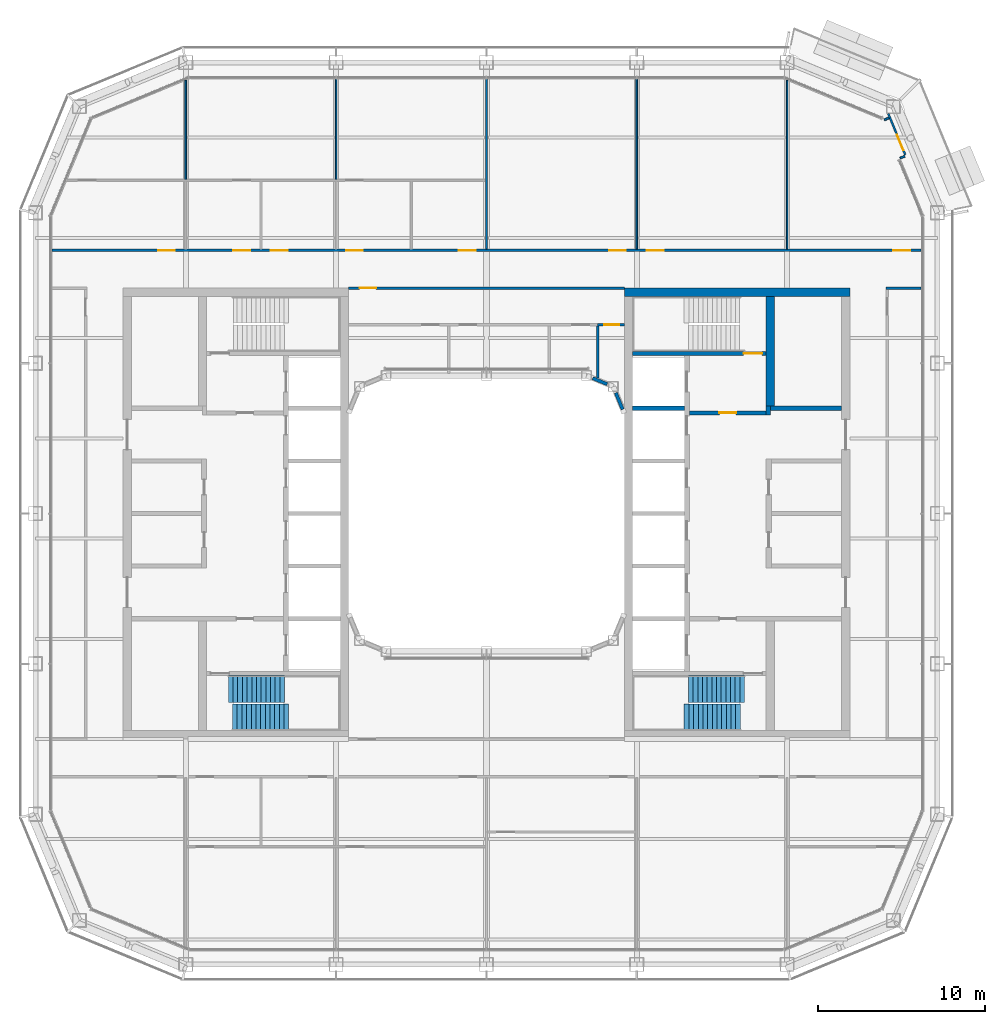
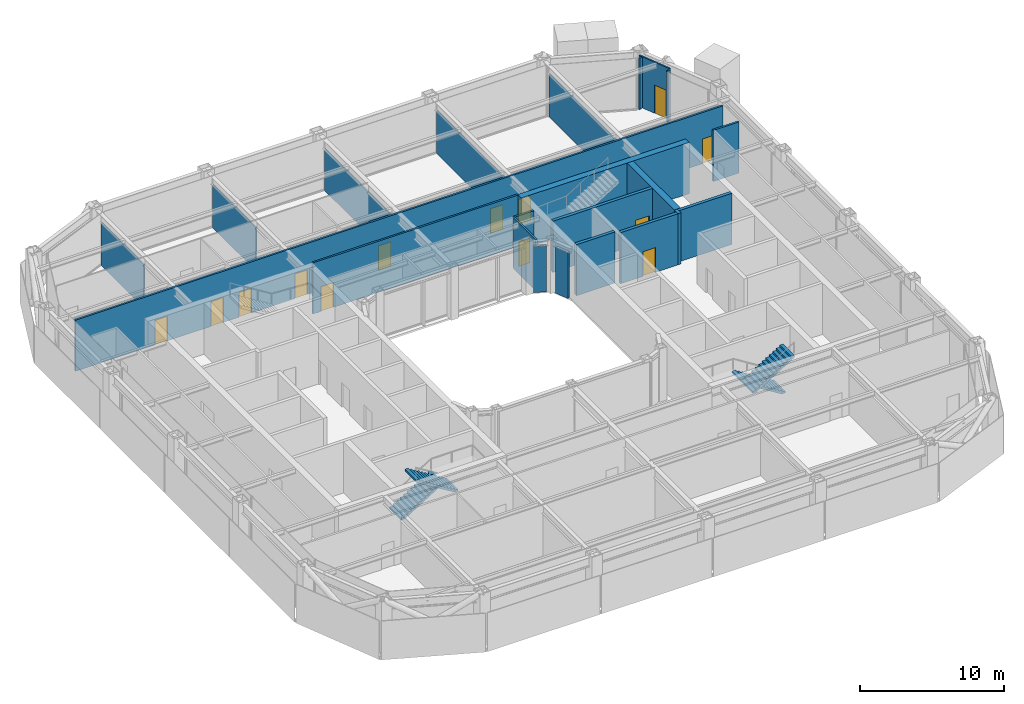
# One storey, part 15 of 23: 22 walls, 13 doors, 4 stair flights, 13 openings, 2 elements without a shape of their own.
"""IFC4 building model written with IfcOpenShell, lengths in metres."""

from ifc_helpers import new_model, si_unit, direction, frame, frame_2d, origin, place, context, subcontext, project, spatial, polyline, rectangle, outline, extrude, material, layer, layer_set, type_object, element, fill, aggregate, save


model = new_model("IFC4")

# Units and contexts
model_context = context("Model", 3, precision=1e-05, world=origin(), true_north=direction((0.0, 1.0)))
body_context = subcontext(model_context, "Body", "Model", "MODEL_VIEW")
ifc_project = project(units=[si_unit("LENGTHUNIT", "METRE"), si_unit("AREAUNIT", "SQUARE_METRE"), si_unit("VOLUMEUNIT", "CUBIC_METRE"), si_unit("PLANEANGLEUNIT", "RADIAN"), si_unit("MASSUNIT", "GRAM", prefix="KILO")], contexts=[model_context])

# Site, building, storey
site_placement = place(None, origin())
site = spatial("IfcSite", under=ifc_project, at=site_placement, CompositionType="ELEMENT")
building_placement = place(site_placement, origin())
building = spatial("IfcBuilding", under=site, at=building_placement, Name="Siwar Civic Tower", CompositionType="ELEMENT")
storey_placement = place(building_placement, frame((0.0, 0.0, 224.199951171875)))
storey = spatial("IfcBuildingStorey", under=building, at=storey_placement, Name="L48", CompositionType="ELEMENT", Elevation=224.199951171875)

# Wall, opening, door
ifc_material_1 = material(Name="Gypsum board on steel studs", Category="steel")
ifc_layer_1 = layer(ifc_material_1, 0.14990234375)
ifc_layer_set_1 = layer_set([ifc_layer_1], Name="Gypsum board on steel studs")
wall_type_1 = type_object("IfcWallType", Name="COMPARTMENT PARTITION 150 EI 60", PredefinedType="PARTITIONING", material=ifc_layer_set_1)
wall_1_placement = place(storey_placement, frame((6.659912109375, 11.300048828125, 0.0), z_axis=(0.0, 0.0, 1.0), x_axis=(1.0, 0.0, 0.0)))
wall_1 = element("IfcWall", 1, at=wall_1_placement, inside=storey, type_object=wall_type_1, Name="L48/wall/P09", PredefinedType="PARTITIONING", context=body_context, shape_type="SweptSolid", body=[
    extrude(rectangle(XDim=1.590087890625, YDim=0.14990234375, at=frame_2d((0.794921875, 0.0))), origin(), (0.0, 0.0, 1.0), 4.35009765625),
])
opening_1_placement = place(wall_1_placement, frame((0.39990234375, 0.0, 0.0)))
opening_1 = element("IfcOpeningElement", 2, at=opening_1_placement, cuts=wall_1, Name="Opening D4", PredefinedType="OPENING", context=body_context, shape_type="SweptSolid", body=[
    extrude(rectangle(XDim=0.89990234375, YDim=2.10009765625, at=frame_2d((0.449951171875, 1.050048828125))), frame((0.0, 0.0849609375, 0.0), z_axis=(0.0, -1.0, 0.0), x_axis=(1.0, 0.0, 0.0)), (0.0, 0.0, 1.0), 0.169921875),
])
ifc_material_2 = material(Name="Timber, painted", Category="wood")
door_type_1 = type_object("IfcDoorType", Name="DOOR 900 X 2100 FD60", OperationType="SINGLE_SWING_LEFT", PredefinedType="DOOR", material=ifc_material_2)
door_1_placement = place(opening_1_placement, origin())
door_1 = element("IfcDoor", 3, at=door_1_placement, inside=storey, type_object=door_type_1, Name="L48-D29", OperationType="SINGLE_SWING_LEFT", OverallHeight=2.10009765625, OverallWidth=0.89990234375, PredefinedType="DOOR", context=body_context, shape_type="SweptSolid", body=[
    extrude(rectangle(XDim=0.89990234375, YDim=2.10009765625, at=frame_2d((0.449951171875, 1.050048828125))), frame((0.0, 0.02490234375, 0.0), z_axis=(0.0, -1.0, 0.0), x_axis=(1.0, 0.0, 0.0)), (0.0, 0.0, 1.0), 0.050048828125),
])
fill(opening_1, door_1)

# Wall
wall_2_placement = place(storey_placement, frame((6.659912109375, 8.126953125, 0.0), z_axis=(0.0, 0.0, 1.0), x_axis=(0.0, 1.0, 0.0)))
element("IfcWall", 4, at=wall_2_placement, inside=storey, type_object=wall_type_1, Name="L48/wall/P30", PredefinedType="PARTITIONING", context=body_context, shape_type="SweptSolid", body=[
    extrude(rectangle(XDim=3.09814453125, YDim=0.14990234375, at=frame_2d((1.549072265625, 0.0))), origin(), (0.0, 0.0, 1.0), 4.35009765625),
])

# Wall, opening, door
ifc_material_3 = material(Name="Concrete C60/75", Category="concrete")
ifc_layer_2 = layer(ifc_material_3, 0.25)
ifc_layer_set_2 = layer_set([ifc_layer_2], Name="Concrete C60/75")
wall_type_2 = type_object("IfcWallType", Name="CORE-WALL-RC250", PredefinedType="SHEAR", material=ifc_layer_set_2)
wall_3_placement = place(storey_placement, frame((12.14990234375, 6.02490234375, 0.0), z_axis=(0.0, 0.0, 1.0), x_axis=(1.0, 0.0, 0.0)))
wall_3 = element("IfcWall", 5, at=wall_3_placement, inside=storey, type_object=wall_type_2, Name="Core wall E", PredefinedType="SHEAR", context=body_context, shape_type="SweptSolid", body=[
    extrude(rectangle(XDim=4.60009765625, YDim=0.25, at=frame_2d((2.300048828125, 0.0))), origin(), (0.0, 0.0, 1.0), 4.35009765625),
])
opening_2_placement = place(wall_3_placement, frame((1.800048828125, 0.0, 0.0)))
opening_2 = element("IfcOpeningElement", 6, at=opening_2_placement, cuts=wall_3, Name="Opening L48-CE01", PredefinedType="OPENING", context=body_context, shape_type="SweptSolid", body=[
    extrude(rectangle(XDim=1.0, YDim=2.10009765625, at=frame_2d((0.5, 1.050048828125))), frame((0.0, 0.135009765625, 0.0), z_axis=(0.0, -1.0, 0.0), x_axis=(1.0, 0.0, 0.0)), (0.0, 0.0, 1.0), 0.27001953125),
])
ifc_material_4 = material(Name="Steel door leaf", Category="steel")
door_type_2 = type_object("IfcDoorType", Name="CORE-DOOR-FD30S", OperationType="SINGLE_SWING_LEFT", PredefinedType="DOOR", material=ifc_material_4)
door_2_placement = place(opening_2_placement, origin())
door_2 = element("IfcDoor", 7, at=door_2_placement, inside=storey, type_object=door_type_2, Name="Firefighting lobby door L48-CE01", OperationType="SINGLE_SWING_RIGHT", OverallHeight=2.10009765625, OverallWidth=1.0, PredefinedType="DOOR", context=body_context, shape_type="SweptSolid", body=[
    extrude(rectangle(XDim=1.0, YDim=2.10009765625, at=frame_2d((0.5, 1.050048828125))), frame((0.0, 0.02490234375, 0.0), z_axis=(0.0, -1.0, 0.0), x_axis=(1.0, 0.0, 0.0)), (0.0, 0.0, 1.0), 0.050048828125),
])
fill(opening_2, door_2)

# Walls
wall_4_placement = place(storey_placement, frame((16.875, 5.89990234375, 0.0), z_axis=(0.0, 0.0, 1.0), x_axis=(0.0, 1.0, 0.0)))
element("IfcWall", 8, at=wall_4_placement, inside=storey, type_object=wall_type_2, Name="Core wall E", PredefinedType="SHEAR", context=body_context, shape_type="SweptSolid", body=[
    extrude(rectangle(XDim=0.525146484375, YDim=0.25, at=frame_2d((0.2626953125, 0.0))), origin(), (0.0, 0.0, 1.0), 4.35009765625),
])
wall_5_placement = place(storey_placement, frame((17.0, 6.300048828125, 0.0), z_axis=(0.0, 0.0, 1.0), x_axis=(1.0, 0.0, 0.0)))
element("IfcWall", 9, at=wall_5_placement, inside=storey, type_object=wall_type_2, Name="Core wall E", PredefinedType="SHEAR", context=body_context, shape_type="SweptSolid", body=[
    extrude(rectangle(XDim=4.25, YDim=0.25, at=frame_2d((2.125, 0.0))), origin(), (0.0, 0.0, 1.0), 4.35009765625),
])
wall_6_placement = place(storey_placement, frame((8.75, 6.300048828125, 0.0), z_axis=(0.0, 0.0, 1.0), x_axis=(1.0, 0.0, 0.0)))
element("IfcWall", 10, at=wall_6_placement, inside=storey, type_object=wall_type_2, Name="Core wall E", PredefinedType="SHEAR", context=body_context, shape_type="SweptSolid", body=[
    extrude(rectangle(XDim=3.10009765625, YDim=0.25, at=frame_2d((1.550048828125, 0.0))), origin(), (0.0, 0.0, 1.0), 4.35009765625),
])

# Wall, opening, door
wall_7_placement = place(storey_placement, frame((8.75, 9.574951171875, 0.0), z_axis=(0.0, 0.0, 1.0), x_axis=(1.0, 0.0, 0.0)))
wall_7 = element("IfcWall", 11, at=wall_7_placement, inside=storey, type_object=wall_type_2, Name="Core wall E", PredefinedType="SHEAR", context=body_context, shape_type="SweptSolid", body=[
    extrude(rectangle(XDim=8.0, YDim=0.25, at=frame_2d((4.0, 0.0))), origin(), (0.0, 0.0, 1.0), 4.35009765625),
])
opening_3_placement = place(wall_7_placement, frame((6.64990234375, 0.0, 0.0)))
opening_3 = element("IfcOpeningElement", 12, at=opening_3_placement, cuts=wall_7, Name="Opening L48-CE03", PredefinedType="OPENING", context=body_context, shape_type="SweptSolid", body=[
    extrude(rectangle(XDim=1.10009765625, YDim=2.10009765625, at=frame_2d((0.550048828125, 1.050048828125))), frame((0.0, 0.135009765625, 0.0), z_axis=(0.0, -1.0, 0.0), x_axis=(1.0, 0.0, 0.0)), (0.0, 0.0, 1.0), 0.27001953125),
])
ifc_material_5 = material(Name="Steel door leaf", Category="steel")
door_type_3 = type_object("IfcDoorType", Name="CORE-DOOR-FD60S", OperationType="SINGLE_SWING_LEFT", PredefinedType="DOOR", material=ifc_material_5)
door_3_placement = place(opening_3_placement, origin())
door_3 = element("IfcDoor", 13, at=door_3_placement, inside=storey, type_object=door_type_3, Name="Stair door L48-CE03", OperationType="SINGLE_SWING_LEFT", OverallHeight=2.10009765625, OverallWidth=1.10009765625, PredefinedType="DOOR", context=body_context, shape_type="SweptSolid", body=[
    extrude(rectangle(XDim=1.10009765625, YDim=2.10009765625, at=frame_2d((0.550048828125, 1.050048828125))), frame((0.0, 0.02490234375, 0.0), z_axis=(0.0, -1.0, 0.0), x_axis=(1.0, 0.0, 0.0)), (0.0, 0.0, 1.0), 0.050048828125),
])
fill(opening_3, door_3)

# Walls
ifc_material_6 = material(Name="Concrete C60/75", Category="concrete")
ifc_layer_3 = layer(ifc_material_6, 0.5)
ifc_layer_set_3 = layer_set([ifc_layer_3], Name="Concrete C60/75")
wall_type_3 = type_object("IfcWallType", Name="CORE-WALL-RC500", PredefinedType="SHEAR", material=ifc_layer_set_3)
wall_8_placement = place(storey_placement, frame((17.0, 6.425048828125, 0.0), z_axis=(0.0, 0.0, 1.0), x_axis=(0.0, 1.0, 0.0)))
element("IfcWall", 14, at=wall_8_placement, inside=storey, type_object=wall_type_3, Name="Core wall E", PredefinedType="SHEAR", context=body_context, shape_type="SweptSolid", body=[
    extrude(rectangle(XDim=6.574951171875, YDim=0.5, at=frame_2d((3.28759765625, 0.0))), origin(), (0.0, 0.0, 1.0), 4.35009765625),
])
wall_9_placement = place(storey_placement, frame((8.25, 13.25, 0.0), z_axis=(0.0, 0.0, 1.0), x_axis=(1.0, 0.0, 0.0)))
element("IfcWall", 15, at=wall_9_placement, inside=storey, type_object=wall_type_3, Name="Core wall E", PredefinedType="SHEAR", context=body_context, shape_type="SweptSolid", body=[
    extrude(rectangle(XDim=13.5, YDim=0.5, at=frame_2d((6.75, 0.0))), origin(), (0.0, 0.0, 1.0), 4.35009765625),
])

# Wall, opening, door
ifc_material_7 = material(Name="Gypsum board on steel studs", Category="steel")
ifc_layer_4 = layer(ifc_material_7, 0.14990234375)
ifc_layer_set_4 = layer_set([ifc_layer_4], Name="Gypsum board on steel studs")
wall_type_4 = type_object("IfcWallType", Name="CORRIDOR PARTITION 150 EI 30", PredefinedType="PARTITIONING", material=ifc_layer_set_4)
wall_10_placement = place(storey_placement, frame((-8.25, 13.5, 0.0), z_axis=(0.0, 0.0, 1.0), x_axis=(1.0, 0.0, 0.0)))
wall_10 = element("IfcWall", 16, at=wall_10_placement, inside=storey, type_object=wall_type_4, Name="L48/wall/P11", PredefinedType="PARTITIONING", context=body_context, shape_type="SweptSolid", body=[
    extrude(rectangle(XDim=16.5, YDim=0.14990234375, at=frame_2d((8.25, 0.0))), origin(), (0.0, 0.0, 1.0), 4.35009765625),
])
opening_4_placement = place(wall_10_placement, frame((0.64990234375, 0.0, 0.0)))
opening_4 = element("IfcOpeningElement", 17, at=opening_4_placement, cuts=wall_10, Name="Opening D1", PredefinedType="OPENING", context=body_context, shape_type="SweptSolid", body=[
    extrude(rectangle(XDim=1.0, YDim=2.10009765625, at=frame_2d((0.5, 1.050048828125))), frame((0.0, 0.0849609375, 0.0), z_axis=(0.0, -1.0, 0.0), x_axis=(1.0, 0.0, 0.0)), (0.0, 0.0, 1.0), 0.169921875),
])
ifc_material_8 = material(Name="Timber, painted", Category="wood")
door_type_4 = type_object("IfcDoorType", Name="DOOR 1000 X 2100 FD30", OperationType="SINGLE_SWING_LEFT", PredefinedType="DOOR", material=ifc_material_8)
door_4_placement = place(opening_4_placement, origin())
door_4 = element("IfcDoor", 18, at=door_4_placement, inside=storey, type_object=door_type_4, Name="L48-D25", OperationType="SINGLE_SWING_LEFT", OverallHeight=2.10009765625, OverallWidth=1.0, PredefinedType="DOOR", context=body_context, shape_type="SweptSolid", body=[
    extrude(rectangle(XDim=1.0, YDim=2.10009765625, at=frame_2d((0.5, 1.050048828125))), frame((0.0, 0.02490234375, 0.0), z_axis=(0.0, -1.0, 0.0), x_axis=(1.0, 0.0, 0.0)), (0.0, 0.0, 1.0), 0.050048828125),
])
fill(opening_4, door_4)

# Wall
wall_11_placement = place(storey_placement, frame((23.925048828125, 13.5, 0.0), z_axis=(0.0, 0.0, 1.0), x_axis=(1.0, 0.0, 0.0)))
element("IfcWall", 19, at=wall_11_placement, inside=storey, type_object=wall_type_4, Name="L48/wall/P12", PredefinedType="PARTITIONING", context=body_context, shape_type="SweptSolid", body=[
    extrude(rectangle(XDim=2.0849609375, YDim=0.14990234375, at=frame_2d((1.04248046875, 0.0))), origin(), (0.0, 0.0, 1.0), 4.35009765625),
])

# Wall, openings, doors
wall_12_placement = place(storey_placement, frame((-26.010009765625, 15.75, 0.0), z_axis=(0.0, 0.0, 1.0), x_axis=(1.0, 0.0, 0.0)))
wall_12 = element("IfcWall", 20, at=wall_12_placement, inside=storey, type_object=wall_type_4, Name="L48/wall/P13", PredefinedType="PARTITIONING", context=body_context, shape_type="SweptSolid", body=[
    extrude(rectangle(XDim=52.02001953125, YDim=0.14990234375, at=frame_2d((26.010009765625, 0.0))), origin(), (0.0, 0.0, 1.0), 4.35009765625),
])
opening_5_placement = place(wall_12_placement, frame((10.860107421875, 0.0, 0.0)))
opening_5 = element("IfcOpeningElement", 21, at=opening_5_placement, cuts=wall_12, Name="Opening D1", PredefinedType="OPENING", context=body_context, shape_type="SweptSolid", body=[
    extrude(rectangle(XDim=1.0, YDim=2.10009765625, at=frame_2d((0.5, 1.050048828125))), frame((0.0, 0.0849609375, 0.0), z_axis=(0.0, -1.0, 0.0), x_axis=(1.0, 0.0, 0.0)), (0.0, 0.0, 1.0), 0.169921875),
])
opening_6_placement = place(wall_12_placement, frame((13.110107421875, 0.0, 0.0)))
opening_6 = element("IfcOpeningElement", 22, at=opening_6_placement, cuts=wall_12, Name="Opening D1", PredefinedType="OPENING", context=body_context, shape_type="SweptSolid", body=[
    extrude(rectangle(XDim=1.0, YDim=2.10009765625, at=frame_2d((0.5, 1.050048828125))), frame((0.0, 0.0849609375, 0.0), z_axis=(0.0, -1.0, 0.0), x_axis=(1.0, 0.0, 0.0)), (0.0, 0.0, 1.0), 0.169921875),
])
opening_7_placement = place(wall_12_placement, frame((17.610107421875, 0.0, 0.0)))
opening_7 = element("IfcOpeningElement", 23, at=opening_7_placement, cuts=wall_12, Name="Opening D1", PredefinedType="OPENING", context=body_context, shape_type="SweptSolid", body=[
    extrude(rectangle(XDim=1.0, YDim=2.10009765625, at=frame_2d((0.5, 1.050048828125))), frame((0.0, 0.0849609375, 0.0), z_axis=(0.0, -1.0, 0.0), x_axis=(1.0, 0.0, 0.0)), (0.0, 0.0, 1.0), 0.169921875),
])
opening_8_placement = place(wall_12_placement, frame((24.360107421875, 0.0, 0.0)))
opening_8 = element("IfcOpeningElement", 24, at=opening_8_placement, cuts=wall_12, Name="Opening D1", PredefinedType="OPENING", context=body_context, shape_type="SweptSolid", body=[
    extrude(rectangle(XDim=1.0, YDim=2.10009765625, at=frame_2d((0.5, 1.050048828125))), frame((0.0, 0.0849609375, 0.0), z_axis=(0.0, -1.0, 0.0), x_axis=(1.0, 0.0, 0.0)), (0.0, 0.0, 1.0), 0.169921875),
])
opening_9_placement = place(wall_12_placement, frame((33.360107421875, 0.0, 0.0)))
opening_9 = element("IfcOpeningElement", 25, at=opening_9_placement, cuts=wall_12, Name="Opening D1", PredefinedType="OPENING", context=body_context, shape_type="SweptSolid", body=[
    extrude(rectangle(XDim=1.0, YDim=2.10009765625, at=frame_2d((0.5, 1.050048828125))), frame((0.0, 0.0849609375, 0.0), z_axis=(0.0, -1.0, 0.0), x_axis=(1.0, 0.0, 0.0)), (0.0, 0.0, 1.0), 0.169921875),
])
opening_10_placement = place(wall_12_placement, frame((35.610107421875, 0.0, 0.0)))
opening_10 = element("IfcOpeningElement", 26, at=opening_10_placement, cuts=wall_12, Name="Opening D1", PredefinedType="OPENING", context=body_context, shape_type="SweptSolid", body=[
    extrude(rectangle(XDim=1.0, YDim=2.10009765625, at=frame_2d((0.5, 1.050048828125))), frame((0.0, 0.0849609375, 0.0), z_axis=(0.0, -1.0, 0.0), x_axis=(1.0, 0.0, 0.0)), (0.0, 0.0, 1.0), 0.169921875),
])
opening_11_placement = place(wall_12_placement, frame((6.360107421875, 0.0, 0.0)))
opening_11 = element("IfcOpeningElement", 27, at=opening_11_placement, cuts=wall_12, Name="Opening D1", PredefinedType="OPENING", context=body_context, shape_type="SweptSolid", body=[
    extrude(rectangle(XDim=1.0, YDim=2.10009765625, at=frame_2d((0.5, 1.050048828125))), frame((0.0, 0.0849609375, 0.0), z_axis=(0.0, -1.0, 0.0), x_axis=(1.0, 0.0, 0.0)), (0.0, 0.0, 1.0), 0.169921875),
])
opening_12_placement = place(wall_12_placement, frame((50.3701171875, 0.0, 0.0)))
opening_12 = element("IfcOpeningElement", 28, at=opening_12_placement, cuts=wall_12, Name="Opening D1", PredefinedType="OPENING", context=body_context, shape_type="SweptSolid", body=[
    extrude(rectangle(XDim=1.0, YDim=2.10009765625, at=frame_2d((0.5, 1.050048828125))), frame((0.0, 0.0849609375, 0.0), z_axis=(0.0, -1.0, 0.0), x_axis=(1.0, 0.0, 0.0)), (0.0, 0.0, 1.0), 0.169921875),
])
door_5_placement = place(opening_5_placement, origin())
door_5 = element("IfcDoor", 29, at=door_5_placement, inside=storey, type_object=door_type_4, Name="L48-D01", OperationType="SINGLE_SWING_LEFT", OverallHeight=2.10009765625, OverallWidth=1.0, PredefinedType="DOOR", context=body_context, shape_type="SweptSolid", body=[
    extrude(rectangle(XDim=1.0, YDim=2.10009765625, at=frame_2d((0.5, 1.050048828125))), frame((0.0, 0.02490234375, 0.0), z_axis=(0.0, -1.0, 0.0), x_axis=(1.0, 0.0, 0.0)), (0.0, 0.0, 1.0), 0.050048828125),
])
fill(opening_5, door_5)
door_6_placement = place(opening_6_placement, origin())
door_6 = element("IfcDoor", 30, at=door_6_placement, inside=storey, type_object=door_type_4, Name="L48-D02", OperationType="SINGLE_SWING_RIGHT", OverallHeight=2.10009765625, OverallWidth=1.0, PredefinedType="DOOR", context=body_context, shape_type="SweptSolid", body=[
    extrude(rectangle(XDim=1.0, YDim=2.10009765625, at=frame_2d((0.5, 1.050048828125))), frame((0.0, 0.02490234375, 0.0), z_axis=(0.0, -1.0, 0.0), x_axis=(1.0, 0.0, 0.0)), (0.0, 0.0, 1.0), 0.050048828125),
])
fill(opening_6, door_6)
door_7_placement = place(opening_7_placement, origin())
door_7 = element("IfcDoor", 31, at=door_7_placement, inside=storey, type_object=door_type_4, Name="L48-D04", OperationType="SINGLE_SWING_RIGHT", OverallHeight=2.10009765625, OverallWidth=1.0, PredefinedType="DOOR", context=body_context, shape_type="SweptSolid", body=[
    extrude(rectangle(XDim=1.0, YDim=2.10009765625, at=frame_2d((0.5, 1.050048828125))), frame((0.0, 0.02490234375, 0.0), z_axis=(0.0, -1.0, 0.0), x_axis=(1.0, 0.0, 0.0)), (0.0, 0.0, 1.0), 0.050048828125),
])
fill(opening_7, door_7)
door_8_placement = place(opening_8_placement, origin())
door_8 = element("IfcDoor", 32, at=door_8_placement, inside=storey, type_object=door_type_4, Name="L48-D05", OperationType="SINGLE_SWING_LEFT", OverallHeight=2.10009765625, OverallWidth=1.0, PredefinedType="DOOR", context=body_context, shape_type="SweptSolid", body=[
    extrude(rectangle(XDim=1.0, YDim=2.10009765625, at=frame_2d((0.5, 1.050048828125))), frame((0.0, 0.02490234375, 0.0), z_axis=(0.0, -1.0, 0.0), x_axis=(1.0, 0.0, 0.0)), (0.0, 0.0, 1.0), 0.050048828125),
])
fill(opening_8, door_8)
door_9_placement = place(opening_9_placement, origin())
door_9 = element("IfcDoor", 33, at=door_9_placement, inside=storey, type_object=door_type_4, Name="L48-D07", OperationType="SINGLE_SWING_LEFT", OverallHeight=2.10009765625, OverallWidth=1.0, PredefinedType="DOOR", context=body_context, shape_type="SweptSolid", body=[
    extrude(rectangle(XDim=1.0, YDim=2.10009765625, at=frame_2d((0.5, 1.050048828125))), frame((0.0, 0.02490234375, 0.0), z_axis=(0.0, -1.0, 0.0), x_axis=(1.0, 0.0, 0.0)), (0.0, 0.0, 1.0), 0.050048828125),
])
fill(opening_9, door_9)
door_10_placement = place(opening_10_placement, origin())
door_10 = element("IfcDoor", 34, at=door_10_placement, inside=storey, type_object=door_type_4, Name="L48-D08", OperationType="SINGLE_SWING_RIGHT", OverallHeight=2.10009765625, OverallWidth=1.0, PredefinedType="DOOR", context=body_context, shape_type="SweptSolid", body=[
    extrude(rectangle(XDim=1.0, YDim=2.10009765625, at=frame_2d((0.5, 1.050048828125))), frame((0.0, 0.02490234375, 0.0), z_axis=(0.0, -1.0, 0.0), x_axis=(1.0, 0.0, 0.0)), (0.0, 0.0, 1.0), 0.050048828125),
])
fill(opening_10, door_10)
door_11_placement = place(opening_11_placement, origin())
door_11 = element("IfcDoor", 35, at=door_11_placement, inside=storey, type_object=door_type_4, Name="L48-D17", OperationType="SINGLE_SWING_LEFT", OverallHeight=2.10009765625, OverallWidth=1.0, PredefinedType="DOOR", context=body_context, shape_type="SweptSolid", body=[
    extrude(rectangle(XDim=1.0, YDim=2.10009765625, at=frame_2d((0.5, 1.050048828125))), frame((0.0, 0.02490234375, 0.0), z_axis=(0.0, -1.0, 0.0), x_axis=(1.0, 0.0, 0.0)), (0.0, 0.0, 1.0), 0.050048828125),
])
fill(opening_11, door_11)
door_12_placement = place(opening_12_placement, origin())
door_12 = element("IfcDoor", 36, at=door_12_placement, inside=storey, type_object=door_type_4, Name="L48-D19", OperationType="SINGLE_SWING_LEFT", OverallHeight=2.10009765625, OverallWidth=1.0, PredefinedType="DOOR", context=body_context, shape_type="SweptSolid", body=[
    extrude(rectangle(XDim=1.0, YDim=2.10009765625, at=frame_2d((0.5, 1.050048828125))), frame((0.0, 0.02490234375, 0.0), z_axis=(0.0, -1.0, 0.0), x_axis=(1.0, 0.0, 0.0)), (0.0, 0.0, 1.0), 0.050048828125),
])
fill(opening_12, door_12)

# Walls
ifc_material_9 = material(Name="Aluminium clad insulated panel", Category="aluminium")
ifc_layer_5 = layer(ifc_material_9, 0.1201171875)
ifc_layer_set_5 = layer_set([ifc_layer_5], Name="Aluminium clad insulated panel")
wall_type_5 = type_object("IfcWallType", Name="ENV-WALL-BAL", PredefinedType="STANDARD", material=ifc_layer_set_5)
wall_13_placement = place(storey_placement, frame((24.766357421875, 21.27587890625, 0.0), z_axis=(0.0, 0.0, 1.0), x_axis=(0.923917630863, 0.382591441855, 0.0)))
element("IfcWall", 37, at=wall_13_placement, inside=storey, type_object=wall_type_5, Name="Balcony door wall return NE1", PredefinedType="STANDARD", context=body_context, shape_type="SweptSolid", body=[
    extrude(rectangle(XDim=0.2998046875, YDim=0.1201171875, at=frame_2d((0.14990234375, 0.0))), origin(), (0.0, 0.0, 1.0), 4.35009765625),
])
wall_14_placement = place(storey_placement, frame((23.817626953125, 23.56640625, 0.0), z_axis=(0.0, 0.0, 1.0), x_axis=(0.923629715641, 0.383285987724, 0.0)))
element("IfcWall", 38, at=wall_14_placement, inside=storey, type_object=wall_type_5, Name="Balcony door wall return NE1", PredefinedType="STANDARD", context=body_context, shape_type="SweptSolid", body=[
    extrude(rectangle(XDim=0.300048828125, YDim=0.1201171875, at=frame_2d((0.14990234375, 0.0))), origin(), (0.0, 0.0, 1.0), 4.35009765625),
])

# Wall, opening, door
wall_15_placement = place(storey_placement, frame((25.075927734375, 21.468994140625, 0.0), z_axis=(0.0, 0.0, 1.0), x_axis=(-0.382636771556, 0.923898858671, 0.0)))
wall_15 = element("IfcWall", 39, at=wall_15_placement, inside=storey, type_object=wall_type_5, Name="Balcony door wall NE1", PredefinedType="STANDARD", context=body_context, shape_type="SweptSolid", body=[
    extrude(rectangle(XDim=2.67333984375, YDim=0.1201171875, at=frame_2d((1.336669921875, 0.0))), origin(), (0.0, 0.0, 1.0), 4.35009765625),
])
opening_13_placement = place(wall_15_placement, frame((0.300048828125, 0.0, 0.0)))
opening_13 = element("IfcOpeningElement", 40, at=opening_13_placement, cuts=wall_15, Name="Opening D-BAL", PredefinedType="OPENING", context=body_context, shape_type="SweptSolid", body=[
    extrude(rectangle(XDim=1.0, YDim=2.39990234375, at=frame_2d((0.5, 1.199951171875))), frame((0.0, 0.070068359375, 0.0), z_axis=(0.0, -1.0, 0.0), x_axis=(1.0, 0.0, 0.0)), (0.0, 0.0, 1.0), 0.14013671875),
])
ifc_material_10 = material(Name="Aluminium and glass", Category="aluminium")
door_type_5 = type_object("IfcDoorType", Name="ENV-DOOR-BAL", OperationType="SINGLE_SWING_LEFT", PredefinedType="DOOR", material=ifc_material_10)
door_13_placement = place(opening_13_placement, origin())
door_13 = element("IfcDoor", 41, at=door_13_placement, inside=storey, type_object=door_type_5, Name="Balcony door NE", OperationType="SINGLE_SWING_LEFT", OverallHeight=2.39990234375, OverallWidth=1.0, PredefinedType="DOOR", context=body_context, shape_type="SweptSolid", body=[
    extrude(rectangle(XDim=1.0, YDim=2.39990234375, at=frame_2d((0.5, 1.199951171875))), frame((0.0, 0.02490234375, 0.0), z_axis=(0.0, -1.0, 0.0), x_axis=(1.0, 0.0, 0.0)), (0.0, 0.0, 1.0), 0.050048828125),
])
fill(opening_13, door_13)

# Walls
ifc_material_11 = material(Name="Aluminium clad insulated panel", Category="aluminium")
ifc_layer_6 = layer(ifc_material_11, 0.199951171875)
ifc_layer_set_6 = layer_set([ifc_layer_6], Name="Aluminium clad insulated panel")
wall_type_6 = type_object("IfcWallType", Name="ENV-WALL-WELL", PredefinedType="STANDARD", material=ifc_layer_set_6)
wall_16_placement = place(storey_placement, frame((8.154296875, 6.23095703125, 0.0), z_axis=(0.0, 0.0, 1.0), x_axis=(-0.382704496366, 0.923870807235, 0.0)))
element("IfcWall", 42, at=wall_16_placement, inside=storey, type_object=wall_type_6, Name="Light well corner wall NE1", PredefinedType="STANDARD", context=body_context, shape_type="SweptSolid", body=[
    extrude(rectangle(XDim=1.080078125, YDim=0.199951171875, at=frame_2d((0.5400390625, 0.0))), origin(), (0.0, 0.0, 1.0), 3.91796875),
])
wall_17_placement = place(storey_placement, frame((7.228759765625, 7.740966796875, 0.0), z_axis=(0.0, 0.0, 1.0), x_axis=(-0.923829670615, 0.382803787458, 0.0)))
element("IfcWall", 43, at=wall_17_placement, inside=storey, type_object=wall_type_6, Name="Light well corner wall NE2", PredefinedType="STANDARD", context=body_context, shape_type="SweptSolid", body=[
    extrude(rectangle(XDim=0.938232421875, YDim=0.199951171875, at=frame_2d((0.46923828125, 0.0))), origin(), (0.0, 0.0, 1.0), 3.91796875),
])
ifc_material_12 = material(Name="Gypsum board on steel studs", Category="steel")
ifc_layer_7 = layer(ifc_material_12, 0.10009765625)
ifc_layer_set_7 = layer_set([ifc_layer_7], Name="Gypsum board on steel studs")
wall_type_7 = type_object("IfcWallType", Name="PARTITION 100 GYPSUM", PredefinedType="PARTITIONING", material=ifc_layer_set_7)
wall_18_placement = place(storey_placement, frame((-18.0, 20.0, 0.0), z_axis=(0.0, 0.0, 1.0), x_axis=(0.0, 1.0, 0.0)))
element("IfcWall", 44, at=wall_18_placement, inside=storey, type_object=wall_type_7, Name="L48/wall/P18", PredefinedType="PARTITIONING", context=body_context, shape_type="SweptSolid", body=[
    extrude(rectangle(XDim=5.927978515625, YDim=0.10009765625, at=frame_2d((2.9638671875, 0.0))), origin(), (0.0, 0.0, 1.0), 3.650146484375),
])
wall_19_placement = place(storey_placement, frame((-9.0, 20.0, 0.0), z_axis=(0.0, 0.0, 1.0), x_axis=(0.0, 1.0, 0.0)))
element("IfcWall", 45, at=wall_19_placement, inside=storey, type_object=wall_type_7, Name="L48/wall/P24", PredefinedType="PARTITIONING", context=body_context, shape_type="SweptSolid", body=[
    extrude(rectangle(XDim=6.010009765625, YDim=0.10009765625, at=frame_2d((3.0048828125, 0.0))), origin(), (0.0, 0.0, 1.0), 3.650146484375),
])
wall_20_placement = place(storey_placement, frame((0.0, 15.824951171875, 0.0), z_axis=(0.0, 0.0, 1.0), x_axis=(0.0, 1.0, 0.0)))
element("IfcWall", 46, at=wall_20_placement, inside=storey, type_object=wall_type_7, Name="L48/wall/P28", PredefinedType="PARTITIONING", context=body_context, shape_type="SweptSolid", body=[
    extrude(rectangle(XDim=10.18505859375, YDim=0.10009765625, at=frame_2d((5.092529296875, 0.0))), origin(), (0.0, 0.0, 1.0), 3.550048828125),
])
wall_21_placement = place(storey_placement, frame((9.0, 15.824951171875, 0.0), z_axis=(0.0, 0.0, 1.0), x_axis=(0.0, 1.0, 0.0)))
element("IfcWall", 47, at=wall_21_placement, inside=storey, type_object=wall_type_7, Name="L48/wall/P32", PredefinedType="PARTITIONING", context=body_context, shape_type="SweptSolid", body=[
    extrude(rectangle(XDim=10.18505859375, YDim=0.10009765625, at=frame_2d((5.092529296875, 0.0))), origin(), (0.0, 0.0, 1.0), 3.650146484375),
])
wall_22_placement = place(storey_placement, frame((18.0, 15.824951171875, 0.0), z_axis=(0.0, 0.0, 1.0), x_axis=(0.0, 1.0, 0.0)))
element("IfcWall", 48, at=wall_22_placement, inside=storey, type_object=wall_type_7, Name="L48/wall/P34", PredefinedType="PARTITIONING", context=body_context, shape_type="SweptSolid", body=[
    extrude(rectangle(XDim=10.10302734375, YDim=0.10009765625, at=frame_2d((5.051513671875, 0.0))), origin(), (0.0, 0.0, 1.0), 3.650146484375),
])

# Stair, stair flights
ifc_material_13 = material(Name="Concrete C40/50", Category="concrete")
stair_type = type_object("IfcStairType", Name="CORE-STAIR", PredefinedType="TWO_STRAIGHT_RUN_STAIR", material=ifc_material_13)
stair_1_placement = place(storey_placement, origin())
stair_1 = element("IfcStair", 49, at=stair_1_placement, inside=storey, type_object=stair_type, Name="Exit stair ST2", PredefinedType="TWO_STRAIGHT_RUN_STAIR")
ifc_material_14 = material(Name="Concrete C40/50", Category="concrete")
stair_flight_type = type_object("IfcStairFlightType", Name="CORE-STAIR-FLIGHT", PredefinedType="STRAIGHT", material=ifc_material_14)
stair_flight_1_placement = place(storey_placement, frame((-15.449951171875, -10.5, 0.0), z_axis=(0.0, 0.0, 1.0), x_axis=(1.0, 0.0, 0.0)))
stair_flight_1 = element("IfcStairFlight", 50, at=stair_flight_1_placement, type_object=stair_flight_type, Name="ST2 flight 1", NumberOfRisers=13, NumberOfTreads=12, PredefinedType="STRAIGHT", RiserHeight=0.173076923, TreadLength=0.28, context=body_context, shape_type="SweptSolid", body=[
    extrude(outline(polyline([(0.0, 0.0), (0.0, 0.173095703125), (0.280029296875, 0.173095703125), (0.280029296875, 0.34619140625), (0.56005859375, 0.34619140625), (0.56005859375, 0.519287109375), (0.840087890625, 0.519287109375), (0.840087890625, 0.6923828125), (1.1201171875, 0.6923828125), (1.1201171875, 0.865478515625), (1.39990234375, 0.865478515625), (1.39990234375, 1.03857421875), (1.679931640625, 1.03857421875), (1.679931640625, 1.21142578125), (1.9599609375, 1.21142578125), (1.9599609375, 1.384521484375), (2.239990234375, 1.384521484375), (2.239990234375, 1.5576171875), (2.52001953125, 1.5576171875), (2.52001953125, 1.730712890625), (2.800048828125, 1.730712890625), (2.800048828125, 1.90380859375), (3.080078125, 1.90380859375), (3.080078125, 2.076904296875), (3.360107421875, 2.076904296875), (3.360107421875, 2.25), (3.360107421875, 1.900634765625), (0.28515625, 0.0), (0.0, 0.0)])), frame((0.0, 0.800048828125, 0.0), z_axis=(0.0, -1.0, 0.0), x_axis=(1.0, 0.0, 0.0)), (0.0, 0.0, 1.0), 1.60009765625),
])
stair_flight_2_placement = place(storey_placement, frame((-11.840087890625, -12.199951171875, 2.25), z_axis=(0.0, 0.0, 1.0), x_axis=(-1.0, 0.0, 0.0)))
stair_flight_2 = element("IfcStairFlight", 51, at=stair_flight_2_placement, type_object=stair_flight_type, Name="ST2 flight 2", NumberOfRisers=13, NumberOfTreads=12, PredefinedType="STRAIGHT", RiserHeight=0.173076923, TreadLength=0.28, context=body_context, shape_type="SweptSolid", body=[
    extrude(outline(polyline([(0.0, 0.0), (0.0, 0.173095703125), (0.280029296875, 0.173095703125), (0.280029296875, 0.34619140625), (0.56005859375, 0.34619140625), (0.56005859375, 0.519287109375), (0.840087890625, 0.519287109375), (0.840087890625, 0.6923828125), (1.1201171875, 0.6923828125), (1.1201171875, 0.865478515625), (1.39990234375, 0.865478515625), (1.39990234375, 1.03857421875), (1.679931640625, 1.03857421875), (1.679931640625, 1.21142578125), (1.9599609375, 1.21142578125), (1.9599609375, 1.384521484375), (2.239990234375, 1.384521484375), (2.239990234375, 1.5576171875), (2.52001953125, 1.5576171875), (2.52001953125, 1.730712890625), (2.800048828125, 1.730712890625), (2.800048828125, 1.90380859375), (3.080078125, 1.90380859375), (3.080078125, 2.076904296875), (3.360107421875, 2.076904296875), (3.360107421875, 2.25), (3.360107421875, 1.900634765625), (0.28515625, 0.0), (0.0, 0.0)])), frame((0.0, 0.800048828125, 0.0), z_axis=(0.0, -1.0, 0.0), x_axis=(1.0, 0.0, 0.0)), (0.0, 0.0, 1.0), 1.60009765625),
])
aggregate(stair_1, [stair_flight_1, stair_flight_2])

stair_2_placement = place(storey_placement, origin())
stair_2 = element("IfcStair", 52, at=stair_2_placement, inside=storey, type_object=stair_type, Name="Exit stair ST4", PredefinedType="TWO_STRAIGHT_RUN_STAIR")
stair_flight_3_placement = place(storey_placement, frame((15.449951171875, -10.5, 0.0), z_axis=(0.0, 0.0, 1.0), x_axis=(-1.0, 0.0, 0.0)))
stair_flight_3 = element("IfcStairFlight", 53, at=stair_flight_3_placement, type_object=stair_flight_type, Name="ST4 flight 1", NumberOfRisers=13, NumberOfTreads=12, PredefinedType="STRAIGHT", RiserHeight=0.173076923, TreadLength=0.28, context=body_context, shape_type="SweptSolid", body=[
    extrude(outline(polyline([(0.0, 0.0), (0.0, 0.173095703125), (0.280029296875, 0.173095703125), (0.280029296875, 0.34619140625), (0.56005859375, 0.34619140625), (0.56005859375, 0.519287109375), (0.840087890625, 0.519287109375), (0.840087890625, 0.6923828125), (1.1201171875, 0.6923828125), (1.1201171875, 0.865478515625), (1.39990234375, 0.865478515625), (1.39990234375, 1.03857421875), (1.679931640625, 1.03857421875), (1.679931640625, 1.21142578125), (1.9599609375, 1.21142578125), (1.9599609375, 1.384521484375), (2.239990234375, 1.384521484375), (2.239990234375, 1.5576171875), (2.52001953125, 1.5576171875), (2.52001953125, 1.730712890625), (2.800048828125, 1.730712890625), (2.800048828125, 1.90380859375), (3.080078125, 1.90380859375), (3.080078125, 2.076904296875), (3.360107421875, 2.076904296875), (3.360107421875, 2.25), (3.360107421875, 1.900634765625), (0.28515625, 0.0), (0.0, 0.0)])), frame((0.0, 0.800048828125, 0.0), z_axis=(0.0, -1.0, 0.0), x_axis=(1.0, 0.0, 0.0)), (0.0, 0.0, 1.0), 1.60009765625),
])
stair_flight_4_placement = place(storey_placement, frame((11.840087890625, -12.199951171875, 2.25), z_axis=(0.0, 0.0, 1.0), x_axis=(1.0, 0.0, 0.0)))
stair_flight_4 = element("IfcStairFlight", 54, at=stair_flight_4_placement, type_object=stair_flight_type, Name="ST4 flight 2", NumberOfRisers=13, NumberOfTreads=12, PredefinedType="STRAIGHT", RiserHeight=0.173076923, TreadLength=0.28, context=body_context, shape_type="SweptSolid", body=[
    extrude(outline(polyline([(0.0, 0.0), (0.0, 0.173095703125), (0.280029296875, 0.173095703125), (0.280029296875, 0.34619140625), (0.56005859375, 0.34619140625), (0.56005859375, 0.519287109375), (0.840087890625, 0.519287109375), (0.840087890625, 0.6923828125), (1.1201171875, 0.6923828125), (1.1201171875, 0.865478515625), (1.39990234375, 0.865478515625), (1.39990234375, 1.03857421875), (1.679931640625, 1.03857421875), (1.679931640625, 1.21142578125), (1.9599609375, 1.21142578125), (1.9599609375, 1.384521484375), (2.239990234375, 1.384521484375), (2.239990234375, 1.5576171875), (2.52001953125, 1.5576171875), (2.52001953125, 1.730712890625), (2.800048828125, 1.730712890625), (2.800048828125, 1.90380859375), (3.080078125, 1.90380859375), (3.080078125, 2.076904296875), (3.360107421875, 2.076904296875), (3.360107421875, 2.25), (3.360107421875, 1.900634765625), (0.28515625, 0.0), (0.0, 0.0)])), frame((0.0, 0.800048828125, 0.0), z_axis=(0.0, -1.0, 0.0), x_axis=(1.0, 0.0, 0.0)), (0.0, 0.0, 1.0), 1.60009765625),
])
aggregate(stair_2, [stair_flight_3, stair_flight_4])

save(model, "model.ifc")
